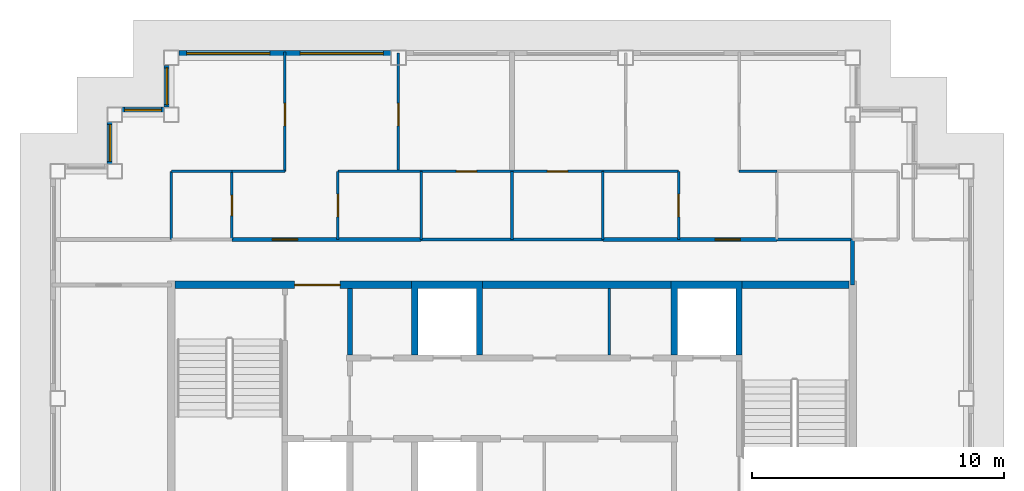
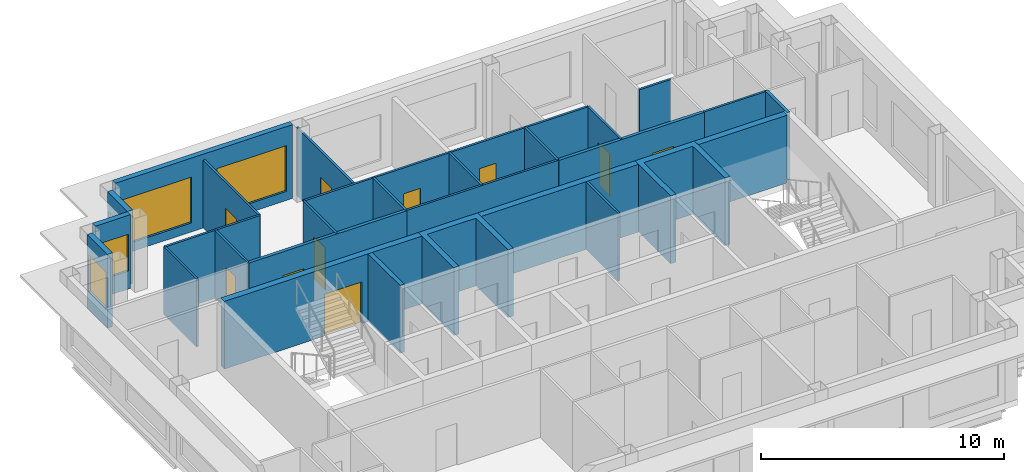
# One storey, part 4 of 11: 31 walls, 10 doors, 5 windows, 15 openings.
"""IFC4 building model written with IfcOpenShell, lengths in metres."""

from ifc_helpers import new_model, si_unit, direction, frame, frame_2d, origin, place, context, subcontext, project, spatial, polyline, rectangle, outline, extrude, material, layer, layer_set, type_object, element, fill, save


model = new_model("IFC4")

# Units and contexts
model_context = context("Model", 3, precision=1e-05, world=origin(), true_north=direction((0.0, 1.0)))
body_context = subcontext(model_context, "Body", "Model", "MODEL_VIEW")
ifc_project = project(units=[si_unit("LENGTHUNIT", "METRE"), si_unit("AREAUNIT", "SQUARE_METRE"), si_unit("VOLUMEUNIT", "CUBIC_METRE"), si_unit("PLANEANGLEUNIT", "RADIAN"), si_unit("MASSUNIT", "GRAM", prefix="KILO")], contexts=[model_context])

# Site, building, storey
site_placement = place(None, origin())
site = spatial("IfcSite", under=ifc_project, at=site_placement, CompositionType="ELEMENT")
building_placement = place(site_placement, origin())
building = spatial("IfcBuilding", under=site, at=building_placement, Name="Caravel Reach Hotel and Residences", CompositionType="ELEMENT")
storey_placement = place(building_placement, frame((0.0, 0.0, 287.10009765625)))
storey = spatial("IfcBuildingStorey", under=building, at=storey_placement, Name="L73", CompositionType="ELEMENT", Elevation=287.10009765625)

# Walls
ifc_material_1 = material(Name="Gypsum board on steel stud", Category="steel")
ifc_layer_1 = layer(ifc_material_1, 0.10009765625)
ifc_layer_set_1 = layer_set([ifc_layer_1], Name="Bathroom pod wall 100 mm")
wall_type_1 = type_object("IfcWallType", Name="Bathroom pod wall 100 mm", PredefinedType="PARTITIONING", material=ifc_layer_set_1)
wall_1_placement = place(storey_placement, frame((27.89990234375, 33.300048828125, 0.0), z_axis=(0.0, 0.0, 1.0), x_axis=(1.0, 0.0, 0.0)))
element("IfcWall", 1, at=wall_1_placement, inside=storey, type_object=wall_type_1, Name="L73 wall w054", PredefinedType="PARTITIONING", context=body_context, shape_type="SweptSolid", body=[
    extrude(rectangle(XDim=7.2001953125, YDim=0.10009765625, at=frame_2d((3.60009765625, 0.0))), origin(), (0.0, 0.0, 1.0), 3.39990234375),
])
wall_2_placement = place(storey_placement, frame((42.0, 33.300048828125, 0.0), z_axis=(0.0, 0.0, 1.0), x_axis=(1.0, 0.0, 0.0)))
element("IfcWall", 2, at=wall_2_placement, inside=storey, type_object=wall_type_1, Name="L73 wall w055", PredefinedType="PARTITIONING", context=body_context, shape_type="SweptSolid", body=[
    extrude(rectangle(XDim=3.0, YDim=0.10009765625, at=frame_2d((1.5, 0.0))), origin(), (0.0, 0.0, 1.0), 3.39990234375),
])
wall_3_placement = place(storey_placement, frame((18.0, 36.0, 0.0), z_axis=(0.0, 0.0, 1.0), x_axis=(1.0, 0.0, 0.0)))
element("IfcWall", 3, at=wall_3_placement, inside=storey, type_object=wall_type_1, Name="L73 wall w058", PredefinedType="PARTITIONING", context=body_context, shape_type="SweptSolid", body=[
    extrude(rectangle(XDim=2.39990234375, YDim=0.10009765625, at=frame_2d((1.199951171875, 0.0))), origin(), (0.0, 0.0, 1.0), 3.39990234375),
])

# Wall, openings, doors
wall_4_placement = place(storey_placement, frame((27.89990234375, 36.0, 0.0), z_axis=(0.0, 0.0, 1.0), x_axis=(1.0, 0.0, 0.0)))
wall_4 = element("IfcWall", 4, at=wall_4_placement, inside=storey, type_object=wall_type_1, Name="L73 wall w059", PredefinedType="PARTITIONING", context=body_context, shape_type="SweptSolid", body=[
    extrude(rectangle(XDim=7.2001953125, YDim=0.10009765625, at=frame_2d((3.60009765625, 0.0))), origin(), (0.0, 0.0, 1.0), 3.39990234375),
])
opening_1_placement = place(wall_4_placement, frame((1.39990234375, 0.0, 0.0)))
opening_1 = element("IfcOpeningElement", 5, at=opening_1_placement, cuts=wall_4, Name="Opening D73-020", PredefinedType="OPENING", context=body_context, shape_type="SweptSolid", body=[
    extrude(rectangle(XDim=0.800048828125, YDim=2.10009765625, at=frame_2d((0.39990234375, 1.050048828125))), frame((0.0, 0.06005859375, 0.0), z_axis=(0.0, -1.0, 0.0), x_axis=(1.0, 0.0, 0.0)), (0.0, 0.0, 1.0), 0.1201171875),
])
opening_2_placement = place(wall_4_placement, frame((5.0, 0.0, 0.0)))
opening_2 = element("IfcOpeningElement", 6, at=opening_2_placement, cuts=wall_4, Name="Opening D73-024", PredefinedType="OPENING", context=body_context, shape_type="SweptSolid", body=[
    extrude(rectangle(XDim=0.800048828125, YDim=2.10009765625, at=frame_2d((0.39990234375, 1.050048828125))), frame((0.0, 0.06005859375, 0.0), z_axis=(0.0, -1.0, 0.0), x_axis=(1.0, 0.0, 0.0)), (0.0, 0.0, 1.0), 0.1201171875),
])
ifc_material_2 = material(Name="Timber and steel door leaf", Category="steel")
door_type_1 = type_object("IfcDoorType", Name="Bathroom door 800 x 2100", OperationType="SINGLE_SWING_LEFT", PredefinedType="DOOR", material=ifc_material_2)
door_1_placement = place(opening_1_placement, origin())
door_1 = element("IfcDoor", 7, at=door_1_placement, inside=storey, type_object=door_type_1, Name="door D73-020", OperationType="SINGLE_SWING_RIGHT", OverallHeight=2.10009765625, OverallWidth=0.800048828125, PredefinedType="DOOR", context=body_context, shape_type="SweptSolid", body=[
    extrude(rectangle(XDim=0.800048828125, YDim=2.10009765625, at=frame_2d((0.39990234375, 1.050048828125))), frame((0.0, 0.02490234375, 0.0), z_axis=(0.0, -1.0, 0.0), x_axis=(1.0, 0.0, 0.0)), (0.0, 0.0, 1.0), 0.050048828125),
])
fill(opening_1, door_1)
door_2_placement = place(opening_2_placement, origin())
door_2 = element("IfcDoor", 8, at=door_2_placement, inside=storey, type_object=door_type_1, Name="door D73-024", OperationType="SINGLE_SWING_LEFT", OverallHeight=2.10009765625, OverallWidth=0.800048828125, PredefinedType="DOOR", context=body_context, shape_type="SweptSolid", body=[
    extrude(rectangle(XDim=0.800048828125, YDim=2.10009765625, at=frame_2d((0.39990234375, 1.050048828125))), frame((0.0, 0.02490234375, 0.0), z_axis=(0.0, -1.0, 0.0), x_axis=(1.0, 0.0, 0.0)), (0.0, 0.0, 1.0), 0.050048828125),
])
fill(opening_2, door_2)

# Wall
wall_5_placement = place(storey_placement, frame((18.0, 33.301025390625, 0.0), z_axis=(0.0, 0.0, 1.0), x_axis=(0.0, 1.0, 0.0)))
element("IfcWall", 9, at=wall_5_placement, inside=storey, type_object=wall_type_1, Name="L73 wall w063", PredefinedType="PARTITIONING", context=body_context, shape_type="SweptSolid", body=[
    extrude(rectangle(XDim=2.698974609375, YDim=0.10009765625, at=frame_2d((1.349609375, 0.0))), origin(), (0.0, 0.0, 1.0), 3.39990234375),
])

# Wall, opening, door
wall_6_placement = place(storey_placement, frame((20.39990234375, 33.300048828125, 0.0), z_axis=(0.0, 0.0, 1.0), x_axis=(0.0, 1.0, 0.0)))
wall_6 = element("IfcWall", 10, at=wall_6_placement, inside=storey, type_object=wall_type_1, Name="L73 wall w064", PredefinedType="PARTITIONING", context=body_context, shape_type="SweptSolid", body=[
    extrude(rectangle(XDim=2.699951171875, YDim=0.10009765625, at=frame_2d((1.35009765625, 0.0))), origin(), (0.0, 0.0, 1.0), 3.39990234375),
])
opening_3_placement = place(wall_6_placement, frame((0.949951171875, 0.0, 0.0)))
opening_3 = element("IfcOpeningElement", 11, at=opening_3_placement, cuts=wall_6, Name="Opening D73-018", PredefinedType="OPENING", context=body_context, shape_type="SweptSolid", body=[
    extrude(rectangle(XDim=0.800048828125, YDim=2.10009765625, at=frame_2d((0.39990234375, 1.050048828125))), frame((0.0, 0.06005859375, 0.0), z_axis=(0.0, -1.0, 0.0), x_axis=(1.0, 0.0, 0.0)), (0.0, 0.0, 1.0), 0.1201171875),
])
door_3_placement = place(opening_3_placement, origin())
door_3 = element("IfcDoor", 12, at=door_3_placement, inside=storey, type_object=door_type_1, Name="door D73-018", OperationType="SINGLE_SWING_LEFT", OverallHeight=2.10009765625, OverallWidth=0.800048828125, PredefinedType="DOOR", context=body_context, shape_type="SweptSolid", body=[
    extrude(rectangle(XDim=0.800048828125, YDim=2.10009765625, at=frame_2d((0.39990234375, 1.050048828125))), frame((0.0, 0.02490234375, 0.0), z_axis=(0.0, -1.0, 0.0), x_axis=(1.0, 0.0, 0.0)), (0.0, 0.0, 1.0), 0.050048828125),
])
fill(opening_3, door_3)

# Walls
for number, where, z_axis, x_axis, name in (
    (13, (27.89990234375, 33.300048828125, 0.0), (0.0, 0.0, 1.0), (0.0, 1.0, 0.0), "L73 wall w066"),
    (14, (31.5, 33.300048828125, 0.0), (0.0, 0.0, 1.0), (0.0, 1.0, 0.0), "L73 wall w068"),
    (15, (35.10009765625, 33.300048828125, 0.0), (0.0, 0.0, 1.0), (0.0, 1.0, 0.0), "L73 wall w069"),
):
    element("IfcWall", number, at=place(storey_placement, frame(where, z_axis=z_axis, x_axis=x_axis)), inside=storey, type_object=wall_type_1, Name=name, PredefinedType="PARTITIONING", context=body_context, shape_type="SweptSolid", body=[
        extrude(rectangle(XDim=2.699951171875, YDim=0.10009765625, at=frame_2d((1.35009765625, 0.0))), origin(), (0.0, 0.0, 1.0), 3.39990234375),
    ])
ifc_material_3 = material(Name="Autoclaved aerated block wall")
ifc_layer_2 = layer(ifc_material_3, 0.199951171875)
ifc_layer_set_2 = layer_set([ifc_layer_2], Name="Compartment wall 200 mm EI 120")
wall_type_2 = type_object("IfcWallType", Name="Compartment wall 200 mm EI 120", PredefinedType="PARTITIONING", material=ifc_layer_set_2)
wall_7_placement = place(storey_placement, frame((25.071533203125, 28.72509765625, 0.0), z_axis=(0.0, 0.0, 1.0), x_axis=(0.0, 1.0, 0.0)))
element("IfcWall", 16, at=wall_7_placement, inside=storey, type_object=wall_type_2, Name="L73 store partition", PredefinedType="PARTITIONING", context=body_context, shape_type="SweptSolid", body=[
    extrude(rectangle(XDim=2.625, YDim=0.199951171875, at=frame_2d((1.3125, 0.0))), origin(), (0.0, 0.0, 1.0), 3.39990234375),
])

# Wall, opening, door
ifc_material_4 = material(Name="Concrete C60", Category="concrete")
ifc_layer_3 = layer(ifc_material_4, 0.300048828125)
ifc_layer_set_3 = layer_set([ifc_layer_3], Name="Core wall 300 mm EI 120")
wall_type_3 = type_object("IfcWallType", Name="Core wall 300 mm EI 120", PredefinedType="SHEAR", material=ifc_layer_set_3)
wall_8_placement = place(storey_placement, frame((18.14990234375, 31.5, 0.0), z_axis=(0.0, 0.0, 1.0), x_axis=(1.0, 0.0, 0.0)))
wall_8 = element("IfcWall", 17, at=wall_8_placement, inside=storey, type_object=wall_type_3, Name="L73 core wall N1", PredefinedType="SHEAR", context=body_context, shape_type="SweptSolid", body=[
    extrude(rectangle(XDim=9.367919921875, YDim=0.300048828125, at=frame_2d((4.68408203125, 0.0))), origin(), (0.0, 0.0, 1.0), 3.39990234375),
])
opening_4_placement = place(wall_8_placement, frame((4.735595703125, 0.0, 0.0)))
opening_4 = element("IfcOpeningElement", 18, at=opening_4_placement, cuts=wall_8, Name="Opening D73-015", PredefinedType="OPENING", context=body_context, shape_type="SweptSolid", body=[
    extrude(rectangle(XDim=1.800048828125, YDim=2.10009765625, at=frame_2d((0.89990234375, 1.050048828125))), frame((0.0, 0.159912109375, 0.0), z_axis=(0.0, -1.0, 0.0), x_axis=(1.0, 0.0, 0.0)), (0.0, 0.0, 1.0), 0.320068359375),
])
ifc_material_5 = material(Name="Steel fire door leaf", Category="steel")
door_type_2 = type_object("IfcDoorType", Name="Fire lobby door pair 1800 x 2100 EI 90", OperationType="DOUBLE_DOOR_SINGLE_SWING", PredefinedType="DOOR", material=ifc_material_5)
door_4_placement = place(opening_4_placement, origin())
door_4 = element("IfcDoor", 19, at=door_4_placement, inside=storey, type_object=door_type_2, Name="lobby N door pair to corridor", OperationType="DOUBLE_DOOR_SINGLE_SWING", OverallHeight=2.10009765625, OverallWidth=1.800048828125, PredefinedType="DOOR", context=body_context, shape_type="SweptSolid", body=[
    extrude(rectangle(XDim=1.800048828125, YDim=2.10009765625, at=frame_2d((0.89990234375, 1.050048828125))), frame((0.0, 0.02490234375, 0.0), z_axis=(0.0, -1.0, 0.0), x_axis=(1.0, 0.0, 0.0)), (0.0, 0.0, 1.0), 0.050048828125),
])
fill(opening_4, door_4)

# Walls
wall_9_placement = place(storey_placement, frame((30.33935546875, 31.5, 0.0), z_axis=(0.0, 0.0, 1.0), x_axis=(1.0, 0.0, 0.0)))
element("IfcWall", 20, at=wall_9_placement, inside=storey, type_object=wall_type_3, Name="L73 core wall N2", PredefinedType="SHEAR", context=body_context, shape_type="SweptSolid", body=[
    extrude(rectangle(XDim=7.464111328125, YDim=0.300048828125, at=frame_2d((3.73193359375, 0.0))), origin(), (0.0, 0.0, 1.0), 3.39990234375),
])
wall_10_placement = place(storey_placement, frame((40.625, 31.5, 0.0), z_axis=(0.0, 0.0, 1.0), x_axis=(1.0, 0.0, 0.0)))
element("IfcWall", 21, at=wall_10_placement, inside=storey, type_object=wall_type_3, Name="L73 core wall N3", PredefinedType="SHEAR", context=body_context, shape_type="SweptSolid", body=[
    extrude(rectangle(XDim=4.22509765625, YDim=0.300048828125, at=frame_2d((2.112548828125, 0.0))), origin(), (0.0, 0.0, 1.0), 3.39990234375),
])

# Wall, opening, door
ifc_material_6 = material(Name="Gypsum board on steel stud, fire-rated", Category="steel")
ifc_layer_4 = layer(ifc_material_6, 0.14990234375)
ifc_layer_set_4 = layer_set([ifc_layer_4], Name="Corridor wall 150 mm EI 60")
wall_type_4 = type_object("IfcWallType", Name="Corridor wall 150 mm EI 60", PredefinedType="PARTITIONING", material=ifc_layer_set_4)
wall_11_placement = place(storey_placement, frame((20.39990234375, 33.300048828125, 0.0), z_axis=(0.0, 0.0, 1.0), x_axis=(1.0, 0.0, 0.0)))
wall_11 = element("IfcWall", 22, at=wall_11_placement, inside=storey, type_object=wall_type_4, Name="L73 wall w010", PredefinedType="PARTITIONING", context=body_context, shape_type="SweptSolid", body=[
    extrude(rectangle(XDim=7.5, YDim=0.14990234375, at=frame_2d((3.75, 0.0))), origin(), (0.0, 0.0, 1.0), 3.39990234375),
])
opening_5_placement = place(wall_11_placement, frame((1.60009765625, 0.0, 0.0)))
opening_5 = element("IfcOpeningElement", 23, at=opening_5_placement, cuts=wall_11, Name="Opening D73-017", PredefinedType="OPENING", context=body_context, shape_type="SweptSolid", body=[
    extrude(rectangle(XDim=1.0, YDim=2.199951171875, at=frame_2d((0.5, 1.10009765625))), frame((0.0, 0.0849609375, 0.0), z_axis=(0.0, -1.0, 0.0), x_axis=(1.0, 0.0, 0.0)), (0.0, 0.0, 1.0), 0.169921875),
])
ifc_material_7 = material(Name="Steel fire door leaf", Category="steel")
door_type_3 = type_object("IfcDoorType", Name="Flat entrance door 1000 x 2200 EI 60", OperationType="SINGLE_SWING_LEFT", PredefinedType="DOOR", material=ifc_material_7)
door_5_placement = place(opening_5_placement, origin())
door_5 = element("IfcDoor", 24, at=door_5_placement, inside=storey, type_object=door_type_3, Name="door D73-017", OperationType="SINGLE_SWING_RIGHT", OverallHeight=2.199951171875, OverallWidth=1.0, PredefinedType="DOOR", context=body_context, shape_type="SweptSolid", body=[
    extrude(rectangle(XDim=1.0, YDim=2.199951171875, at=frame_2d((0.5, 1.10009765625))), frame((0.0, 0.02490234375, 0.0), z_axis=(0.0, -1.0, 0.0), x_axis=(1.0, 0.0, 0.0)), (0.0, 0.0, 1.0), 0.050048828125),
])
fill(opening_5, door_5)

wall_12_placement = place(storey_placement, frame((35.10009765625, 33.300048828125, 0.0), z_axis=(0.0, 0.0, 1.0), x_axis=(1.0, 0.0, 0.0)))
wall_12 = element("IfcWall", 25, at=wall_12_placement, inside=storey, type_object=wall_type_4, Name="L73 wall w013", PredefinedType="PARTITIONING", context=body_context, shape_type="SweptSolid", body=[
    extrude(rectangle(XDim=6.89990234375, YDim=0.14990234375, at=frame_2d((3.449951171875, 0.0))), origin(), (0.0, 0.0, 1.0), 3.39990234375),
])
opening_6_placement = place(wall_12_placement, frame((4.449951171875, 0.0, 0.0)))
opening_6 = element("IfcOpeningElement", 26, at=opening_6_placement, cuts=wall_12, Name="Opening D73-023", PredefinedType="OPENING", context=body_context, shape_type="SweptSolid", body=[
    extrude(rectangle(XDim=1.0, YDim=2.199951171875, at=frame_2d((0.5, 1.10009765625))), frame((0.0, 0.0849609375, 0.0), z_axis=(0.0, -1.0, 0.0), x_axis=(1.0, 0.0, 0.0)), (0.0, 0.0, 1.0), 0.169921875),
])
door_6_placement = place(opening_6_placement, origin())
door_6 = element("IfcDoor", 27, at=door_6_placement, inside=storey, type_object=door_type_3, Name="door D73-023", OperationType="SINGLE_SWING_LEFT", OverallHeight=2.199951171875, OverallWidth=1.0, PredefinedType="DOOR", context=body_context, shape_type="SweptSolid", body=[
    extrude(rectangle(XDim=1.0, YDim=2.199951171875, at=frame_2d((0.5, 1.10009765625))), frame((0.0, 0.02490234375, 0.0), z_axis=(0.0, -1.0, 0.0), x_axis=(1.0, 0.0, 0.0)), (0.0, 0.0, 1.0), 0.050048828125),
])
fill(opening_6, door_6)

# Wall
wall_13_placement = place(storey_placement, frame((45.0, 31.5, 0.0), z_axis=(0.0, 0.0, 1.0), x_axis=(0.0, 1.0, 0.0)))
element("IfcWall", 28, at=wall_13_placement, inside=storey, type_object=wall_type_4, Name="L73 wall w015", PredefinedType="PARTITIONING", context=body_context, shape_type="SweptSolid", body=[
    extrude(rectangle(XDim=1.800048828125, YDim=0.14990234375, at=frame_2d((0.89990234375, 0.0))), origin(), (0.0, 0.0, 1.0), 3.39990234375),
])

# Wall, openings, windows
ifc_material_8 = material(Name="Insulated rainscreen wall, aluminium cladding", Category="aluminium")
ifc_layer_5 = layer(ifc_material_8, 0.25)
ifc_layer_set_5 = layer_set([ifc_layer_5], Name="EW1 Tower rainscreen wall")
wall_type_5 = type_object("IfcWallType", Name="EW1 Tower rainscreen wall", PredefinedType="SOLIDWALL", material=ifc_layer_set_5)
wall_14_placement = place(storey_placement, frame((26.699951171875, 40.675048828125, 0.0), z_axis=(0.0, 0.0, 1.0), x_axis=(-1.0, 0.0, 0.0)))
wall_14 = element("IfcWall", 29, at=wall_14_placement, inside=storey, type_object=wall_type_5, Name="External wall L73 N10.3", PredefinedType="SOLIDWALL", context=body_context, shape_type="SweptSolid", body=[
    extrude(rectangle(XDim=8.39990234375, YDim=0.25, at=frame_2d((4.199951171875, 0.0))), origin(), (0.0, 0.0, 1.0), 3.699951171875),
])
opening_7_placement = place(wall_14_placement, frame((0.300048828125, 0.0, 0.449951171875)))
opening_7 = element("IfcOpeningElement", 30, at=opening_7_placement, cuts=wall_14, Name="Opening WN15", PredefinedType="OPENING", context=body_context, shape_type="SweptSolid", body=[
    extrude(rectangle(XDim=3.300048828125, YDim=2.300048828125, at=frame_2d((1.64990234375, 1.14990234375))), frame((0.0, 0.135009765625, 0.0), z_axis=(0.0, -1.0, 0.0), x_axis=(1.0, 0.0, 0.0)), (0.0, 0.0, 1.0), 0.27001953125),
])
opening_8_placement = place(wall_14_placement, frame((4.800048828125, 0.0, 0.449951171875)))
opening_8 = element("IfcOpeningElement", 31, at=opening_8_placement, cuts=wall_14, Name="Opening WN15", PredefinedType="OPENING", context=body_context, shape_type="SweptSolid", body=[
    extrude(rectangle(XDim=3.300048828125, YDim=2.300048828125, at=frame_2d((1.64990234375, 1.14990234375))), frame((0.0, 0.135009765625, 0.0), z_axis=(0.0, -1.0, 0.0), x_axis=(1.0, 0.0, 0.0)), (0.0, 0.0, 1.0), 0.27001953125),
])
ifc_material_9 = material(Name="Dark low-e glazing in black aluminium frame", Category="aluminium")
window_type_1 = type_object("IfcWindowType", Name="Residence living window 3300 x 2300", PartitioningType="SINGLE_PANEL", PredefinedType="WINDOW", material=ifc_material_9)
window_1_placement = place(opening_7_placement, origin())
window_1 = element("IfcWindow", 32, at=window_1_placement, inside=storey, type_object=window_type_1, Name="Window L73 N10.3.1", OverallHeight=2.300048828125, OverallWidth=3.300048828125, PartitioningType="SINGLE_PANEL", PredefinedType="WINDOW", context=body_context, shape_type="SweptSolid", body=[
    extrude(rectangle(XDim=3.300048828125, YDim=2.300048828125, at=frame_2d((1.64990234375, 1.14990234375))), frame((0.0, 0.030029296875, 0.0), z_axis=(0.0, -1.0, 0.0), x_axis=(1.0, 0.0, 0.0)), (0.0, 0.0, 1.0), 0.06005859375),
])
fill(opening_7, window_1)
window_2_placement = place(opening_8_placement, origin())
window_2 = element("IfcWindow", 33, at=window_2_placement, inside=storey, type_object=window_type_1, Name="Window L73 N10.3.2", OverallHeight=2.300048828125, OverallWidth=3.300048828125, PartitioningType="SINGLE_PANEL", PredefinedType="WINDOW", context=body_context, shape_type="SweptSolid", body=[
    extrude(rectangle(XDim=3.300048828125, YDim=2.300048828125, at=frame_2d((1.64990234375, 1.14990234375))), frame((0.0, 0.030029296875, 0.0), z_axis=(0.0, -1.0, 0.0), x_axis=(1.0, 0.0, 0.0)), (0.0, 0.0, 1.0), 0.06005859375),
])
fill(opening_8, window_2)

# Wall, opening, window
wall_15_placement = place(storey_placement, frame((17.824951171875, 40.199951171875, 0.0), z_axis=(0.0, 0.0, 1.0), x_axis=(0.0, -1.0, 0.0)))
wall_15 = element("IfcWall", 34, at=wall_15_placement, inside=storey, type_object=wall_type_5, Name="External wall L73 W11.1", PredefinedType="SOLIDWALL", context=body_context, shape_type="SweptSolid", body=[
    extrude(rectangle(XDim=1.64990234375, YDim=0.25, at=frame_2d((0.824951171875, 0.0))), origin(), (0.0, 0.0, 1.0), 3.699951171875),
])
opening_9_placement = place(wall_15_placement, frame((0.10009765625, 0.0, 0.89990234375)))
opening_9 = element("IfcOpeningElement", 35, at=opening_9_placement, cuts=wall_15, Name="Opening WN25", PredefinedType="OPENING", context=body_context, shape_type="SweptSolid", body=[
    extrude(rectangle(XDim=1.449951171875, YDim=1.85009765625, at=frame_2d((0.72509765625, 0.925048828125))), frame((0.0, 0.135009765625, 0.0), z_axis=(0.0, -1.0, 0.0), x_axis=(1.0, 0.0, 0.0)), (0.0, 0.0, 1.0), 0.27001953125),
])
ifc_material_10 = material(Name="Dark low-e glazing in black aluminium frame", Category="aluminium")
window_type_2 = type_object("IfcWindowType", Name="Residence bedroom window 1450 x 1850", PartitioningType="SINGLE_PANEL", PredefinedType="WINDOW", material=ifc_material_10)
window_3_placement = place(opening_9_placement, origin())
window_3 = element("IfcWindow", 36, at=window_3_placement, inside=storey, type_object=window_type_2, Name="Window L73 W11.1.1", OverallHeight=1.85009765625, OverallWidth=1.449951171875, PartitioningType="SINGLE_PANEL", PredefinedType="WINDOW", context=body_context, shape_type="SweptSolid", body=[
    extrude(rectangle(XDim=1.449951171875, YDim=1.85009765625, at=frame_2d((0.72509765625, 0.925048828125))), frame((0.0, 0.030029296875, 0.0), z_axis=(0.0, -1.0, 0.0), x_axis=(1.0, 0.0, 0.0)), (0.0, 0.0, 1.0), 0.06005859375),
])
fill(opening_9, window_3)

wall_16_placement = place(storey_placement, frame((17.699951171875, 38.425048828125, 0.0), z_axis=(0.0, 0.0, 1.0), x_axis=(-1.0, 0.0, 0.0)))
wall_16 = element("IfcWall", 37, at=wall_16_placement, inside=storey, type_object=wall_type_5, Name="External wall L73 N12.1", PredefinedType="SOLIDWALL", context=body_context, shape_type="SweptSolid", body=[
    extrude(rectangle(XDim=1.64990234375, YDim=0.25, at=frame_2d((0.824951171875, 0.0))), origin(), (0.0, 0.0, 1.0), 3.699951171875),
])
opening_10_placement = place(wall_16_placement, frame((0.10009765625, 0.0, 0.89990234375)))
opening_10 = element("IfcOpeningElement", 38, at=opening_10_placement, cuts=wall_16, Name="Opening WN25", PredefinedType="OPENING", context=body_context, shape_type="SweptSolid", body=[
    extrude(rectangle(XDim=1.449951171875, YDim=1.85009765625, at=frame_2d((0.72509765625, 0.925048828125))), frame((0.0, 0.135009765625, 0.0), z_axis=(0.0, -1.0, 0.0), x_axis=(1.0, 0.0, 0.0)), (0.0, 0.0, 1.0), 0.27001953125),
])
window_4_placement = place(opening_10_placement, origin())
window_4 = element("IfcWindow", 39, at=window_4_placement, inside=storey, type_object=window_type_2, Name="Window L73 N12.1.1", OverallHeight=1.85009765625, OverallWidth=1.449951171875, PartitioningType="SINGLE_PANEL", PredefinedType="WINDOW", context=body_context, shape_type="SweptSolid", body=[
    extrude(rectangle(XDim=1.449951171875, YDim=1.85009765625, at=frame_2d((0.72509765625, 0.925048828125))), frame((0.0, 0.030029296875, 0.0), z_axis=(0.0, -1.0, 0.0), x_axis=(1.0, 0.0, 0.0)), (0.0, 0.0, 1.0), 0.06005859375),
])
fill(opening_10, window_4)

wall_17_placement = place(storey_placement, frame((15.574951171875, 37.949951171875, 0.0), z_axis=(0.0, 0.0, 1.0), x_axis=(0.0, -1.0, 0.0)))
wall_17 = element("IfcWall", 40, at=wall_17_placement, inside=storey, type_object=wall_type_5, Name="External wall L73 W13.1", PredefinedType="SOLIDWALL", context=body_context, shape_type="SweptSolid", body=[
    extrude(rectangle(XDim=1.64990234375, YDim=0.25, at=frame_2d((0.824951171875, 0.0))), origin(), (0.0, 0.0, 1.0), 3.699951171875),
])
opening_11_placement = place(wall_17_placement, frame((0.10009765625, 0.0, 0.89990234375)))
opening_11 = element("IfcOpeningElement", 41, at=opening_11_placement, cuts=wall_17, Name="Opening WN25", PredefinedType="OPENING", context=body_context, shape_type="SweptSolid", body=[
    extrude(rectangle(XDim=1.449951171875, YDim=1.85009765625, at=frame_2d((0.72509765625, 0.925048828125))), frame((0.0, 0.135009765625, 0.0), z_axis=(0.0, -1.0, 0.0), x_axis=(1.0, 0.0, 0.0)), (0.0, 0.0, 1.0), 0.27001953125),
])
window_5_placement = place(opening_11_placement, origin())
window_5 = element("IfcWindow", 42, at=window_5_placement, inside=storey, type_object=window_type_2, Name="Window L73 W13.1.1", OverallHeight=1.85009765625, OverallWidth=1.449951171875, PartitioningType="SINGLE_PANEL", PredefinedType="WINDOW", context=body_context, shape_type="SweptSolid", body=[
    extrude(rectangle(XDim=1.449951171875, YDim=1.85009765625, at=frame_2d((0.72509765625, 0.925048828125))), frame((0.0, 0.030029296875, 0.0), z_axis=(0.0, -1.0, 0.0), x_axis=(1.0, 0.0, 0.0)), (0.0, 0.0, 1.0), 0.06005859375),
])
fill(opening_11, window_5)

# Walls
ifc_material_11 = material(Name="Gypsum board on steel stud", Category="steel")
ifc_layer_6 = layer(ifc_material_11, 0.10009765625)
ifc_layer_set_6 = layer_set([ifc_layer_6], Name="Partition 100 mm")
wall_type_6 = type_object("IfcWallType", Name="Partition 100 mm", PredefinedType="PARTITIONING", material=ifc_layer_set_6)
wall_18_placement = place(storey_placement, frame((35.357177734375, 28.72509765625, 0.0), z_axis=(0.0, 0.0, 1.0), x_axis=(0.0, 1.0, 0.0)))
element("IfcWall", 43, at=wall_18_placement, inside=storey, type_object=wall_type_6, Name="L73 store partition", PredefinedType="PARTITIONING", context=body_context, shape_type="SweptSolid", body=[
    extrude(rectangle(XDim=2.625, YDim=0.10009765625, at=frame_2d((1.3125, 0.0))), origin(), (0.0, 0.0, 1.0), 3.39990234375),
])
wall_19_placement = place(storey_placement, frame((20.39990234375, 36.0, 0.0), z_axis=(0.0, 0.0, 1.0), x_axis=(1.0, 0.0, 0.0)))
element("IfcWall", 44, at=wall_19_placement, inside=storey, type_object=wall_type_6, Name="L73 wall w023", PredefinedType="PARTITIONING", context=body_context, shape_type="SweptSolid", body=[
    extrude(rectangle(XDim=2.10009765625, YDim=0.10009765625, at=frame_2d((1.050048828125, 0.0))), origin(), (0.0, 0.0, 1.0), 3.39990234375),
])
wall_20_placement = place(storey_placement, frame((24.60009765625, 36.0, 0.0), z_axis=(0.0, 0.0, 1.0), x_axis=(1.0, 0.0, 0.0)))
element("IfcWall", 45, at=wall_20_placement, inside=storey, type_object=wall_type_6, Name="L73 wall w025", PredefinedType="PARTITIONING", context=body_context, shape_type="SweptSolid", body=[
    extrude(rectangle(XDim=3.2998046875, YDim=0.10009765625, at=frame_2d((1.64990234375, 0.0))), origin(), (0.0, 0.0, 1.0), 3.39990234375),
])
wall_21_placement = place(storey_placement, frame((40.5, 36.0, 0.0), z_axis=(0.0, 0.0, 1.0), x_axis=(1.0, 0.0, 0.0)))
element("IfcWall", 46, at=wall_21_placement, inside=storey, type_object=wall_type_6, Name="L73 wall w026", PredefinedType="PARTITIONING", context=body_context, shape_type="SweptSolid", body=[
    extrude(rectangle(XDim=1.5, YDim=0.10009765625, at=frame_2d((0.75, 0.0))), origin(), (0.0, 0.0, 1.0), 3.39990234375),
])
wall_22_placement = place(storey_placement, frame((35.10009765625, 36.0, 0.0), z_axis=(0.0, 0.0, 1.0), x_axis=(1.0, 0.0, 0.0)))
element("IfcWall", 47, at=wall_22_placement, inside=storey, type_object=wall_type_6, Name="L73 wall w027", PredefinedType="PARTITIONING", context=body_context, shape_type="SweptSolid", body=[
    extrude(rectangle(XDim=3.0, YDim=0.10009765625, at=frame_2d((1.5, 0.0))), origin(), (0.0, 0.0, 1.0), 3.39990234375),
])

# Wall, opening, door
wall_23_placement = place(storey_placement, frame((22.5, 36.0, 0.0), z_axis=(0.0, 0.0, 1.0), x_axis=(0.0, 1.0, 0.0)))
wall_23 = element("IfcWall", 48, at=wall_23_placement, inside=storey, type_object=wall_type_6, Name="L73 wall w032", PredefinedType="PARTITIONING", context=body_context, shape_type="SweptSolid", body=[
    extrude(rectangle(XDim=4.739990234375, YDim=0.10009765625, at=frame_2d((2.3701171875, 0.0))), origin(), (0.0, 0.0, 1.0), 3.39990234375),
])
opening_12_placement = place(wall_23_placement, frame((1.800048828125, 0.0, 0.0)))
opening_12 = element("IfcOpeningElement", 49, at=opening_12_placement, cuts=wall_23, Name="Opening D73-021", PredefinedType="OPENING", context=body_context, shape_type="SweptSolid", body=[
    extrude(rectangle(XDim=0.89990234375, YDim=2.10009765625, at=frame_2d((0.449951171875, 1.050048828125))), frame((0.0, 0.06005859375, 0.0), z_axis=(0.0, -1.0, 0.0), x_axis=(1.0, 0.0, 0.0)), (0.0, 0.0, 1.0), 0.1201171875),
])
ifc_material_12 = material(Name="Timber and steel door leaf", Category="steel")
door_type_4 = type_object("IfcDoorType", Name="Door 900 x 2100 timber", OperationType="SINGLE_SWING_LEFT", PredefinedType="DOOR", material=ifc_material_12)
door_7_placement = place(opening_12_placement, origin())
door_7 = element("IfcDoor", 50, at=door_7_placement, inside=storey, type_object=door_type_4, Name="door D73-021", OperationType="SINGLE_SWING_RIGHT", OverallHeight=2.10009765625, OverallWidth=0.89990234375, PredefinedType="DOOR", context=body_context, shape_type="SweptSolid", body=[
    extrude(rectangle(XDim=0.89990234375, YDim=2.10009765625, at=frame_2d((0.449951171875, 1.050048828125))), frame((0.0, 0.02490234375, 0.0), z_axis=(0.0, -1.0, 0.0), x_axis=(1.0, 0.0, 0.0)), (0.0, 0.0, 1.0), 0.050048828125),
])
fill(opening_12, door_7)

wall_24_placement = place(storey_placement, frame((24.60009765625, 33.300048828125, 0.0), z_axis=(0.0, 0.0, 1.0), x_axis=(0.0, 1.0, 0.0)))
wall_24 = element("IfcWall", 51, at=wall_24_placement, inside=storey, type_object=wall_type_6, Name="L73 wall w033", PredefinedType="PARTITIONING", context=body_context, shape_type="SweptSolid", body=[
    extrude(rectangle(XDim=2.699951171875, YDim=0.10009765625, at=frame_2d((1.35009765625, 0.0))), origin(), (0.0, 0.0, 1.0), 3.39990234375),
])
opening_13_placement = place(wall_24_placement, frame((0.89990234375, 0.0, 0.0)))
opening_13 = element("IfcOpeningElement", 52, at=opening_13_placement, cuts=wall_24, Name="Opening D73-019", PredefinedType="OPENING", context=body_context, shape_type="SweptSolid", body=[
    extrude(rectangle(XDim=0.89990234375, YDim=2.10009765625, at=frame_2d((0.449951171875, 1.050048828125))), frame((0.0, 0.06005859375, 0.0), z_axis=(0.0, -1.0, 0.0), x_axis=(1.0, 0.0, 0.0)), (0.0, 0.0, 1.0), 0.1201171875),
])
door_8_placement = place(opening_13_placement, origin())
door_8 = element("IfcDoor", 53, at=door_8_placement, inside=storey, type_object=door_type_4, Name="door D73-019", OperationType="SINGLE_SWING_LEFT", OverallHeight=2.10009765625, OverallWidth=0.89990234375, PredefinedType="DOOR", context=body_context, shape_type="SweptSolid", body=[
    extrude(rectangle(XDim=0.89990234375, YDim=2.10009765625, at=frame_2d((0.449951171875, 1.050048828125))), frame((0.0, 0.02490234375, 0.0), z_axis=(0.0, -1.0, 0.0), x_axis=(1.0, 0.0, 0.0)), (0.0, 0.0, 1.0), 0.050048828125),
])
fill(opening_13, door_8)

wall_25_placement = place(storey_placement, frame((27.0, 36.0, 0.0), z_axis=(0.0, 0.0, 1.0), x_axis=(0.0, 1.0, 0.0)))
wall_25 = element("IfcWall", 54, at=wall_25_placement, inside=storey, type_object=wall_type_6, Name="L73 wall w034", PredefinedType="PARTITIONING", context=body_context, shape_type="SweptSolid", body=[
    extrude(rectangle(XDim=4.68994140625, YDim=0.10009765625, at=frame_2d((2.344970703125, 0.0))), origin(), (0.0, 0.0, 1.0), 3.39990234375),
])
opening_14_placement = place(wall_25_placement, frame((1.800048828125, 0.0, 0.0)))
opening_14 = element("IfcOpeningElement", 55, at=opening_14_placement, cuts=wall_25, Name="Opening D73-022", PredefinedType="OPENING", context=body_context, shape_type="SweptSolid", body=[
    extrude(rectangle(XDim=0.89990234375, YDim=2.10009765625, at=frame_2d((0.449951171875, 1.050048828125))), frame((0.0, 0.06005859375, 0.0), z_axis=(0.0, -1.0, 0.0), x_axis=(1.0, 0.0, 0.0)), (0.0, 0.0, 1.0), 0.1201171875),
])
door_9_placement = place(opening_14_placement, origin())
door_9 = element("IfcDoor", 56, at=door_9_placement, inside=storey, type_object=door_type_4, Name="door D73-022", OperationType="SINGLE_SWING_RIGHT", OverallHeight=2.10009765625, OverallWidth=0.89990234375, PredefinedType="DOOR", context=body_context, shape_type="SweptSolid", body=[
    extrude(rectangle(XDim=0.89990234375, YDim=2.10009765625, at=frame_2d((0.449951171875, 1.050048828125))), frame((0.0, 0.02490234375, 0.0), z_axis=(0.0, -1.0, 0.0), x_axis=(1.0, 0.0, 0.0)), (0.0, 0.0, 1.0), 0.050048828125),
])
fill(opening_14, door_9)

wall_26_placement = place(storey_placement, frame((38.10009765625, 33.300048828125, 0.0), z_axis=(0.0, 0.0, 1.0), x_axis=(0.0, 1.0, 0.0)))
wall_26 = element("IfcWall", 57, at=wall_26_placement, inside=storey, type_object=wall_type_6, Name="L73 wall w039", PredefinedType="PARTITIONING", context=body_context, shape_type="SweptSolid", body=[
    extrude(rectangle(XDim=2.699951171875, YDim=0.10009765625, at=frame_2d((1.35009765625, 0.0))), origin(), (0.0, 0.0, 1.0), 3.39990234375),
])
opening_15_placement = place(wall_26_placement, frame((0.89990234375, 0.0, 0.0)))
opening_15 = element("IfcOpeningElement", 58, at=opening_15_placement, cuts=wall_26, Name="Opening D73-025", PredefinedType="OPENING", context=body_context, shape_type="SweptSolid", body=[
    extrude(rectangle(XDim=0.89990234375, YDim=2.10009765625, at=frame_2d((0.449951171875, 1.050048828125))), frame((0.0, 0.06005859375, 0.0), z_axis=(0.0, -1.0, 0.0), x_axis=(1.0, 0.0, 0.0)), (0.0, 0.0, 1.0), 0.1201171875),
])
door_10_placement = place(opening_15_placement, origin())
door_10 = element("IfcDoor", 59, at=door_10_placement, inside=storey, type_object=door_type_4, Name="door D73-025", OperationType="SINGLE_SWING_LEFT", OverallHeight=2.10009765625, OverallWidth=0.89990234375, PredefinedType="DOOR", context=body_context, shape_type="SweptSolid", body=[
    extrude(rectangle(XDim=0.89990234375, YDim=2.10009765625, at=frame_2d((0.449951171875, 1.050048828125))), frame((0.0, 0.02490234375, 0.0), z_axis=(0.0, -1.0, 0.0), x_axis=(1.0, 0.0, 0.0)), (0.0, 0.0, 1.0), 0.050048828125),
])
fill(opening_15, door_10)

# Walls
ifc_material_13 = material(Name="Concrete C60", Category="concrete")
ifc_layer_7 = layer(ifc_material_13, 0.25)
ifc_layer_set_7 = layer_set([ifc_layer_7], Name="Shaft wall 250 mm EI 120")
wall_type_7 = type_object("IfcWallType", Name="Shaft wall 250 mm EI 120", PredefinedType="SHEAR", material=ifc_layer_set_7)
wall_27_placement = place(storey_placement, origin())
element("IfcWall", 60, at=wall_27_placement, inside=storey, type_object=wall_type_7, Name="L73 lift shaft wall N1", PredefinedType="SHEAR", context=body_context, shape_type="SweptSolid", body=[
    extrude(outline(polyline([(27.517822265625, 28.72509765625), (27.767822265625, 28.72509765625), (27.767822265625, 31.35009765625), (30.08935546875, 31.35009765625), (30.08935546875, 28.72509765625), (30.33935546875, 28.72509765625), (30.33935546875, 31.64990234375), (27.517822265625, 31.64990234375), (27.517822265625, 28.72509765625)])), origin(), (0.0, 0.0, 1.0), 3.39990234375),
])
wall_28_placement = place(storey_placement, origin())
element("IfcWall", 61, at=wall_28_placement, inside=storey, type_object=wall_type_7, Name="L73 lift shaft wall N2", PredefinedType="SHEAR", context=body_context, shape_type="SweptSolid", body=[
    extrude(outline(polyline([(37.803466796875, 28.72509765625), (38.053466796875, 28.72509765625), (38.053466796875, 31.35009765625), (40.375, 31.35009765625), (40.375, 28.72509765625), (40.625, 28.72509765625), (40.625, 31.64990234375), (37.803466796875, 31.64990234375), (37.803466796875, 28.72509765625)])), origin(), (0.0, 0.0, 1.0), 3.39990234375),
])

save(model, "model.ifc")
